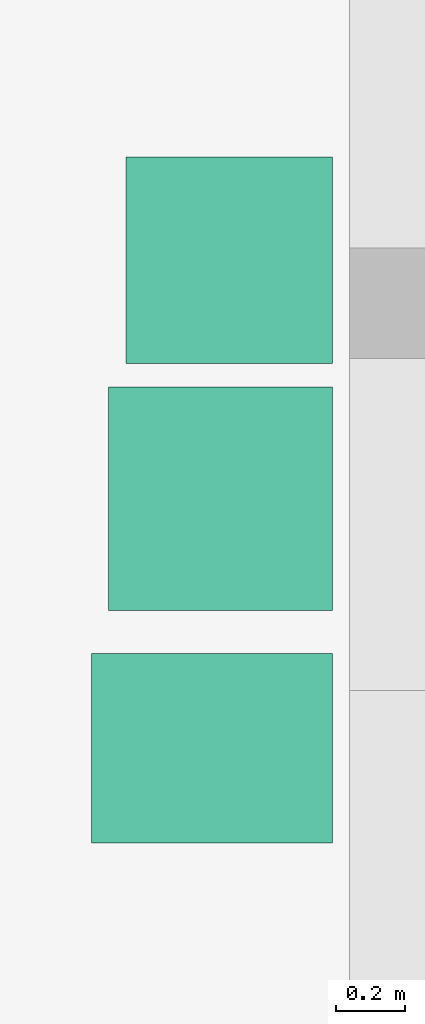
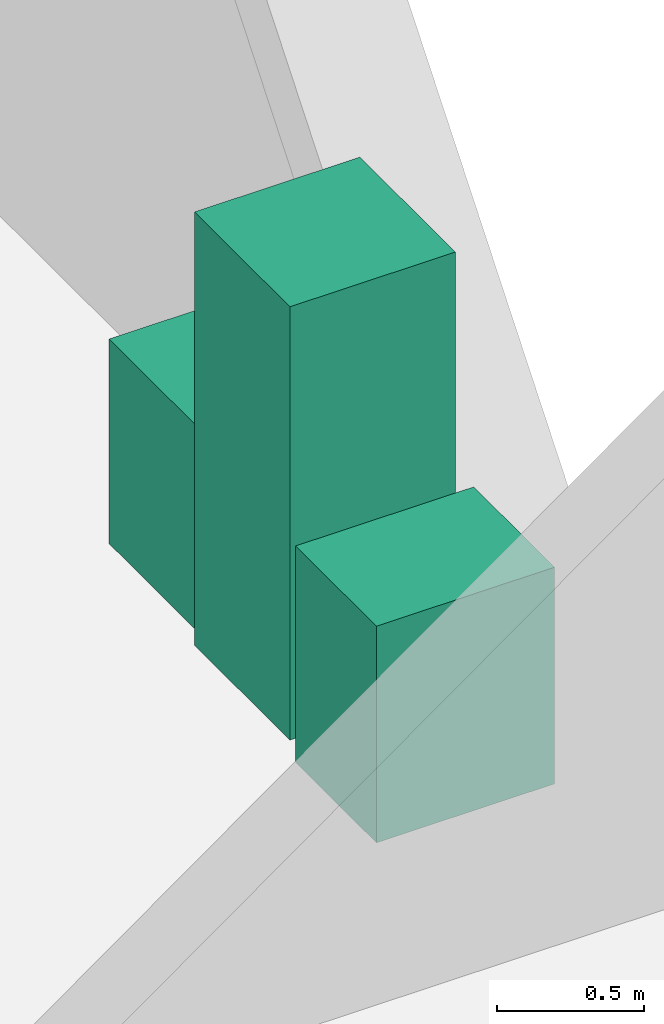
# One storey, part 12 of 12: 2 electric appliances, 1 sanitary terminal.
"""IFC4 building model written with IfcOpenShell, lengths in metres."""

from ifc_helpers import new_model, si_unit, direction, frame, origin, origin_2d, place, context, subcontext, project, spatial, rectangle, extrude, material, type_object, element, save


model = new_model("IFC4")

# Units and contexts
model_context = context("Model", 3, precision=1e-05, world=origin(), true_north=direction((0.0, 1.0)))
body_context = subcontext(model_context, "Body", "Model", "MODEL_VIEW")
ifc_project = project(units=[si_unit("LENGTHUNIT", "METRE"), si_unit("AREAUNIT", "SQUARE_METRE"), si_unit("VOLUMEUNIT", "CUBIC_METRE"), si_unit("PLANEANGLEUNIT", "RADIAN"), si_unit("MASSUNIT", "GRAM", prefix="KILO")], contexts=[model_context])

# Site, building, storey
site_placement = place(None, origin())
site = spatial("IfcSite", under=ifc_project, at=site_placement, CompositionType="ELEMENT")
building_placement = place(site_placement, origin())
building = spatial("IfcBuilding", under=site, at=building_placement, Name="Tessera Gate Towers", CompositionType="ELEMENT")
storey_placement = place(building_placement, frame((0.0, 0.0, 178.199951171875)))
storey = spatial("IfcBuildingStorey", under=building, at=storey_placement, Name="L44", CompositionType="ELEMENT", Elevation=178.199951171875)

# Electric appliances
ifc_material_1 = material(Name="Enamelled steel", Category="steel")
electric_appliance_type_1 = type_object("IfcElectricApplianceType", Name="DISHWASHER 600x600", PredefinedType="DISHWASHER", material=ifc_material_1)
electric_appliance_1_placement = place(storey_placement, frame((60.14990234375, 19.550048828125, 0.0), z_axis=(0.0, 0.0, 1.0), x_axis=(1.0, 0.0, 0.0)))
element("IfcElectricAppliance", 1, at=electric_appliance_1_placement, inside=storey, type_object=electric_appliance_type_1, Name="Dishwasher", PredefinedType="DISHWASHER", context=body_context, shape_type="SweptSolid", body=[
    extrude(rectangle(XDim=0.60009765625, YDim=0.60009765625, at=origin_2d()), origin(), (0.0, 0.0, 1.0), 0.85009765625),
])
ifc_material_2 = material(Name="Enamelled steel", Category="steel")
electric_appliance_type_2 = type_object("IfcElectricApplianceType", Name="REFRIGERATOR 650x650", PredefinedType="FRIDGE_FREEZER", material=ifc_material_2)
electric_appliance_2_placement = place(storey_placement, frame((60.125, 18.85791015625, 0.0), z_axis=(0.0, 0.0, 1.0), x_axis=(1.0, 0.0, 0.0)))
element("IfcElectricAppliance", 2, at=electric_appliance_2_placement, inside=storey, type_object=electric_appliance_type_2, Name="Refrigerator", PredefinedType="FRIDGE_FREEZER", context=body_context, shape_type="SweptSolid", body=[
    extrude(rectangle(XDim=0.64990234375, YDim=0.64990234375, at=origin_2d()), origin(), (0.0, 0.0, 1.0), 1.800048828125),
])

# Sanitary terminal
ifc_material_3 = material(Name="Vitreous china")
sanitary_terminal_type = type_object("IfcSanitaryTerminalType", Name="SINK 700x550", PredefinedType="SINK", material=ifc_material_3)
sanitary_terminal_placement = place(storey_placement, frame((60.10009765625, 18.133056640625, 0.0), z_axis=(0.0, 0.0, 1.0), x_axis=(1.0, 0.0, 0.0)))
element("IfcSanitaryTerminal", 3, at=sanitary_terminal_placement, inside=storey, type_object=sanitary_terminal_type, Name="Sink", PredefinedType="SINK", context=body_context, shape_type="SweptSolid", body=[
    extrude(rectangle(XDim=0.699951171875, YDim=0.550048828125, at=origin_2d()), origin(), (0.0, 0.0, 1.0), 0.89990234375),
])

save(model, "model.ifc")
